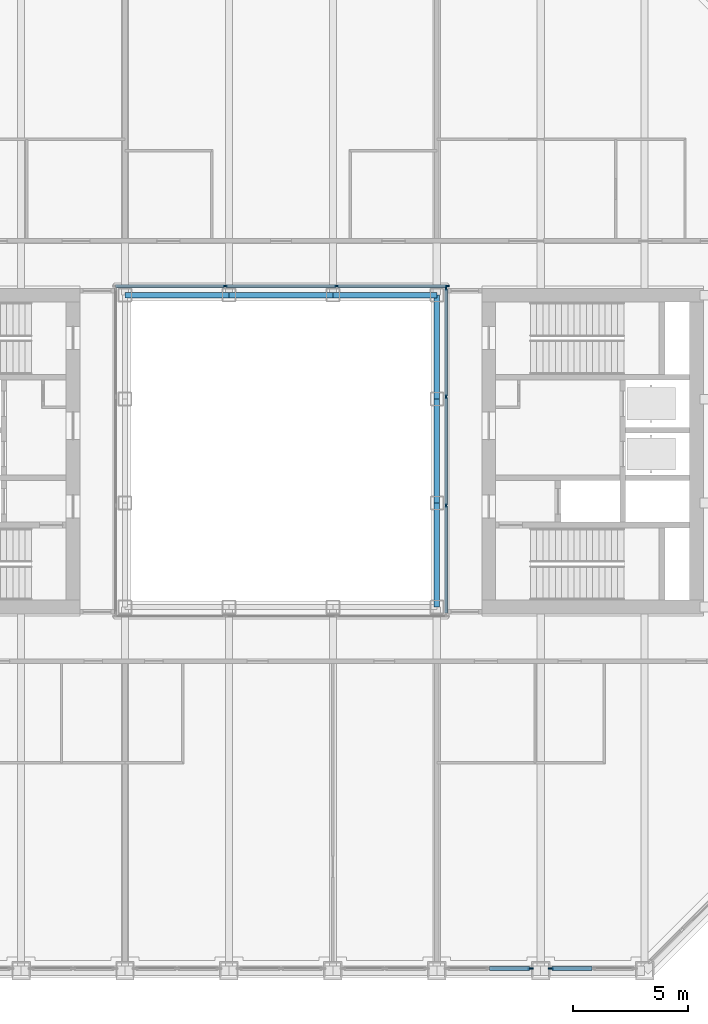
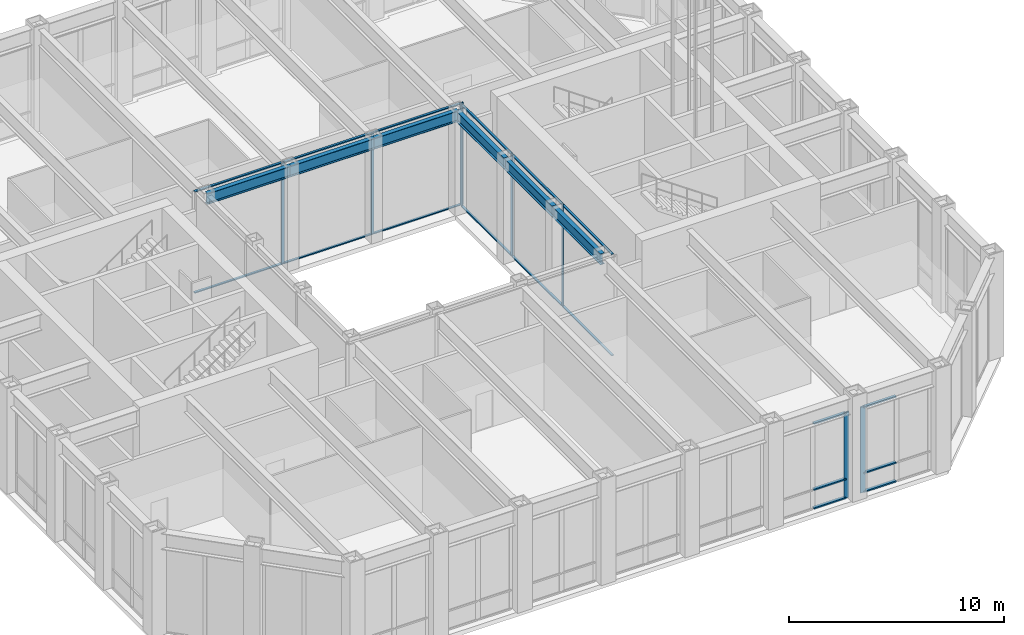
# One storey, part 5 of 22: 26 members, 6 beams, 4 elements without a shape of their own.
"""IFC4 building model written with IfcOpenShell, lengths in metres."""

from ifc_helpers import new_model, si_unit, direction, frame, origin, origin_2d, place, context, subcontext, project, spatial, rectangle, i_section, extrude, material, material_profile, profile_set, type_object, element, aggregate, save


model = new_model("IFC4")

# Units and contexts
model_context = context("Model", 3, precision=1e-05, world=origin(), true_north=direction((0.0, 1.0)))
body_context = subcontext(model_context, "Body", "Model", "MODEL_VIEW")
ifc_project = project(units=[si_unit("LENGTHUNIT", "METRE"), si_unit("AREAUNIT", "SQUARE_METRE"), si_unit("VOLUMEUNIT", "CUBIC_METRE"), si_unit("PLANEANGLEUNIT", "RADIAN"), si_unit("MASSUNIT", "GRAM", prefix="KILO")], contexts=[model_context])

# Site, building, storey
site_placement = place(None, origin())
site = spatial("IfcSite", under=ifc_project, at=site_placement, CompositionType="ELEMENT")
building_placement = place(site_placement, origin())
building = spatial("IfcBuilding", under=site, at=building_placement, Name="Msasa Ring Tower", CompositionType="ELEMENT")
storey_placement = place(building_placement, frame((0.0, 0.0, 112.39990234375)))
storey = spatial("IfcBuildingStorey", under=building, at=storey_placement, Name="L29", CompositionType="ELEMENT", Elevation=112.39990234375)

# Curtain wall, member
ifc_material_1 = material(Name="Aluminium curtain wall with clear glass", Category="aluminium")
curtain_wall_type_1 = type_object("IfcCurtainWallType", Name="CW-S SKY LOBBY CURTAIN WALL", PredefinedType="NOTDEFINED", material=ifc_material_1)
curtain_wall_1_placement = place(storey_placement, origin())
curtain_wall_1 = element("IfcCurtainWall", 1, at=curtain_wall_1_placement, inside=storey, type_object=curtain_wall_type_1, Name="Sky lobby curtain wall S L29", PredefinedType="NOTDEFINED")
ifc_material_2 = material(Name="Aluminium mullion", Category="aluminium")
ifc_material_profile_1 = material_profile(ifc_material_2, rectangle(XDim=0.074951171875, YDim=0.25, at=origin_2d()), Name="AL 75x250")
ifc_profile_set_1 = profile_set([ifc_material_profile_1], Name="Aluminium mullion")
member_type_1 = type_object("IfcMemberType", Name="CW-S MULLION 75x250", PredefinedType="MULLION", material=ifc_profile_set_1)
member_1_placement = place(storey_placement, frame((10.8076171875, -22.39990234375, 0.0), z_axis=(0.0, 0.0, 1.0), x_axis=(0.0, 1.0, 0.0)))
member_1 = element("IfcMember", 2, at=member_1_placement, type_object=member_type_1, Name="CW-S mullion 3", PredefinedType="MULLION", context=body_context, shape_type="SweptSolid", body=[
    extrude(rectangle(XDim=0.074951171875, YDim=0.25, at=origin_2d()), origin(), (0.0, 0.0, 1.0), 4.879150390625),
])

curtain_wall_2_placement = place(storey_placement, origin())
curtain_wall_2 = element("IfcCurtainWall", 3, at=curtain_wall_2_placement, inside=storey, type_object=curtain_wall_type_1, Name="Sky lobby curtain wall S L29", PredefinedType="NOTDEFINED")
member_2_placement = place(storey_placement, frame((11.6923828125, -22.39990234375, 0.0), z_axis=(0.0, 0.0, 1.0), x_axis=(0.0, 1.0, 0.0)))
member_2 = element("IfcMember", 4, at=member_2_placement, type_object=member_type_1, Name="CW-S mullion 1", PredefinedType="MULLION", context=body_context, shape_type="SweptSolid", body=[
    extrude(rectangle(XDim=0.074951171875, YDim=0.25, at=origin_2d()), origin(), (0.0, 0.0, 1.0), 4.879150390625),
])

# Member
ifc_material_3 = material(Name="Aluminium transom", Category="aluminium")
ifc_material_profile_2 = material_profile(ifc_material_3, rectangle(XDim=0.159912109375, YDim=0.074951171875, at=origin_2d()), Name="AL 75x160")
ifc_profile_set_2 = profile_set([ifc_material_profile_2], Name="Aluminium transom")
member_type_2 = type_object("IfcMemberType", Name="CW-S TRANSOM 75x160", PredefinedType="USERDEFINED", material=ifc_profile_set_2)
member_3_placement = place(storey_placement, frame((9.03759765625, -22.39990234375, 0.03759765625), z_axis=(1.0, 0.0, 0.0), x_axis=(0.0, 1.0, 0.0)))
member_3 = element("IfcMember", 5, at=member_3_placement, type_object=member_type_2, Name="CW-S transom 2.1", ObjectType="TRANSOM", PredefinedType="USERDEFINED", context=body_context, shape_type="SweptSolid", body=[
    extrude(rectangle(XDim=0.159912109375, YDim=0.074951171875, at=origin_2d()), origin(), (0.0, 0.0, 1.0), 1.732421875),
])

member_4_placement = place(storey_placement, frame((9.03759765625, -22.39990234375, 1.10009765625), z_axis=(1.0, 0.0, 0.0), x_axis=(0.0, 1.0, 0.0)))
member_4 = element("IfcMember", 6, at=member_4_placement, type_object=member_type_2, Name="CW-S transom 2.2", ObjectType="TRANSOM", PredefinedType="USERDEFINED", context=body_context, shape_type="SweptSolid", body=[
    extrude(rectangle(XDim=0.159912109375, YDim=0.074951171875, at=origin_2d()), origin(), (0.0, 0.0, 1.0), 1.732421875),
])

member_5_placement = place(storey_placement, frame((9.03759765625, -22.39990234375, 4.841552734375), z_axis=(1.0, 0.0, 0.0), x_axis=(0.0, 1.0, 0.0)))
member_5 = element("IfcMember", 7, at=member_5_placement, type_object=member_type_2, Name="CW-S transom 2.3", ObjectType="TRANSOM", PredefinedType="USERDEFINED", context=body_context, shape_type="SweptSolid", body=[
    extrude(rectangle(XDim=0.159912109375, YDim=0.074951171875, at=origin_2d()), origin(), (0.0, 0.0, 1.0), 1.732421875),
])

aggregate(curtain_wall_1, [member_1, member_3, member_4, member_5])

member_6_placement = place(storey_placement, frame((11.72998046875, -22.39990234375, 0.03759765625), z_axis=(1.0, 0.0, 0.0), x_axis=(0.0, 1.0, 0.0)))
member_6 = element("IfcMember", 8, at=member_6_placement, type_object=member_type_2, Name="CW-S transom 1.1", ObjectType="TRANSOM", PredefinedType="USERDEFINED", context=body_context, shape_type="SweptSolid", body=[
    extrude(rectangle(XDim=0.159912109375, YDim=0.074951171875, at=origin_2d()), origin(), (0.0, 0.0, 1.0), 1.732421875),
])

member_7_placement = place(storey_placement, frame((11.72998046875, -22.39990234375, 1.10009765625), z_axis=(1.0, 0.0, 0.0), x_axis=(0.0, 1.0, 0.0)))
member_7 = element("IfcMember", 9, at=member_7_placement, type_object=member_type_2, Name="CW-S transom 1.2", ObjectType="TRANSOM", PredefinedType="USERDEFINED", context=body_context, shape_type="SweptSolid", body=[
    extrude(rectangle(XDim=0.159912109375, YDim=0.074951171875, at=origin_2d()), origin(), (0.0, 0.0, 1.0), 1.732421875),
])

member_8_placement = place(storey_placement, frame((11.72998046875, -22.39990234375, 4.841552734375), z_axis=(1.0, 0.0, 0.0), x_axis=(0.0, 1.0, 0.0)))
member_8 = element("IfcMember", 10, at=member_8_placement, type_object=member_type_2, Name="CW-S transom 1.3", ObjectType="TRANSOM", PredefinedType="USERDEFINED", context=body_context, shape_type="SweptSolid", body=[
    extrude(rectangle(XDim=0.159912109375, YDim=0.074951171875, at=origin_2d()), origin(), (0.0, 0.0, 1.0), 1.732421875),
])

aggregate(curtain_wall_2, [member_2, member_6, member_7, member_8])

# Curtain wall, members
ifc_material_4 = material(Name="Aluminium curtain wall with clear glass", Category="aluminium")
curtain_wall_type_2 = type_object("IfcCurtainWallType", Name="CW-W LIGHT WELL CURTAIN WALL", PredefinedType="NOTDEFINED", material=ifc_material_4)
curtain_wall_3_placement = place(storey_placement, origin())
curtain_wall_3 = element("IfcCurtainWall", 11, at=curtain_wall_3_placement, inside=storey, type_object=curtain_wall_type_2, Name="Light well curtain wall N L29", PredefinedType="NOTDEFINED")
ifc_material_5 = material(Name="Aluminium mullion", Category="aluminium")
ifc_material_profile_3 = material_profile(ifc_material_5, rectangle(XDim=0.06005859375, YDim=0.159912109375, at=origin_2d()), Name="AL 60x160")
ifc_profile_set_3 = profile_set([ifc_material_profile_3], Name="Aluminium mullion")
member_type_3 = type_object("IfcMemberType", Name="CW-W MULLION 60x160", PredefinedType="MULLION", material=ifc_profile_set_3)
member_9_placement = place(storey_placement, frame((-2.409912109375, 7.14990234375, 0.0), z_axis=(0.0, 0.0, 1.0), x_axis=(0.0, 1.0, 0.0)))
member_9 = element("IfcMember", 12, at=member_9_placement, type_object=member_type_3, Name="CW-W mullion 2", PredefinedType="MULLION", context=body_context, shape_type="SweptSolid", body=[
    extrude(rectangle(XDim=0.06005859375, YDim=0.159912109375, at=origin_2d()), origin(), (0.0, 0.0, 1.0), 5.800048828125),
])
member_10_placement = place(storey_placement, frame((2.409912109375, 7.14990234375, 0.0), z_axis=(0.0, 0.0, 1.0), x_axis=(0.0, 1.0, 0.0)))
member_10 = element("IfcMember", 13, at=member_10_placement, type_object=member_type_3, Name="CW-W mullion 3", PredefinedType="MULLION", context=body_context, shape_type="SweptSolid", body=[
    extrude(rectangle(XDim=0.06005859375, YDim=0.159912109375, at=origin_2d()), origin(), (0.0, 0.0, 1.0), 5.800048828125),
])
member_11_placement = place(storey_placement, frame((7.199951171875, 7.14990234375, 0.0), z_axis=(0.0, 0.0, 1.0), x_axis=(0.0, 1.0, 0.0)))
member_11 = element("IfcMember", 14, at=member_11_placement, type_object=member_type_3, Name="CW-W mullion 4", PredefinedType="MULLION", context=body_context, shape_type="SweptSolid", body=[
    extrude(rectangle(XDim=0.06005859375, YDim=0.159912109375, at=origin_2d()), origin(), (0.0, 0.0, 1.0), 5.800048828125),
])

curtain_wall_4_placement = place(storey_placement, origin())
curtain_wall_4 = element("IfcCurtainWall", 15, at=curtain_wall_4_placement, inside=storey, type_object=curtain_wall_type_2, Name="Light well curtain wall E L29", PredefinedType="NOTDEFINED")
member_12_placement = place(storey_placement, frame((7.14990234375, -2.356689453125, 0.0), z_axis=(0.0, 0.0, 1.0), x_axis=(-1.0, 0.0, 0.0)))
member_12 = element("IfcMember", 16, at=member_12_placement, type_object=member_type_3, Name="CW-W mullion 2", PredefinedType="MULLION", context=body_context, shape_type="SweptSolid", body=[
    extrude(rectangle(XDim=0.06005859375, YDim=0.159912109375, at=origin_2d()), origin(), (0.0, 0.0, 1.0), 5.800048828125),
])
member_13_placement = place(storey_placement, frame((7.14990234375, 2.356689453125, 0.0), z_axis=(0.0, 0.0, 1.0), x_axis=(-1.0, 0.0, 0.0)))
member_13 = element("IfcMember", 17, at=member_13_placement, type_object=member_type_3, Name="CW-W mullion 3", PredefinedType="MULLION", context=body_context, shape_type="SweptSolid", body=[
    extrude(rectangle(XDim=0.06005859375, YDim=0.159912109375, at=origin_2d()), origin(), (0.0, 0.0, 1.0), 5.800048828125),
])
member_14_placement = place(storey_placement, frame((7.14990234375, 7.0400390625, 0.0), z_axis=(0.0, 0.0, 1.0), x_axis=(-1.0, 0.0, 0.0)))
member_14 = element("IfcMember", 18, at=member_14_placement, type_object=member_type_3, Name="CW-W mullion 4", PredefinedType="MULLION", context=body_context, shape_type="SweptSolid", body=[
    extrude(rectangle(XDim=0.06005859375, YDim=0.159912109375, at=origin_2d()), origin(), (0.0, 0.0, 1.0), 5.800048828125),
])

# Member
ifc_material_6 = material(Name="Aluminium transom", Category="aluminium")
ifc_material_profile_4 = material_profile(ifc_material_6, rectangle(XDim=0.1201171875, YDim=0.06005859375, at=origin_2d()), Name="AL 60x120")
ifc_profile_set_4 = profile_set([ifc_material_profile_4], Name="Aluminium transom")
member_type_4 = type_object("IfcMemberType", Name="CW-W TRANSOM 60x120", PredefinedType="USERDEFINED", material=ifc_profile_set_4)
member_15_placement = place(storey_placement, frame((-7.169921875, 7.14990234375, 0.030029296875), z_axis=(1.0, 0.0, 0.0), x_axis=(0.0, 1.0, 0.0)))
member_15 = element("IfcMember", 19, at=member_15_placement, type_object=member_type_4, Name="CW-W transom 1.1", ObjectType="TRANSOM", PredefinedType="USERDEFINED", context=body_context, shape_type="SweptSolid", body=[
    extrude(rectangle(XDim=0.1201171875, YDim=0.06005859375, at=origin_2d()), origin(), (0.0, 0.0, 1.0), 4.72998046875),
])

member_16_placement = place(storey_placement, frame((-7.169921875, 7.14990234375, 5.77001953125), z_axis=(1.0, 0.0, 0.0), x_axis=(0.0, 1.0, 0.0)))
member_16 = element("IfcMember", 20, at=member_16_placement, type_object=member_type_4, Name="CW-W transom 1.2", ObjectType="TRANSOM", PredefinedType="USERDEFINED", context=body_context, shape_type="SweptSolid", body=[
    extrude(rectangle(XDim=0.1201171875, YDim=0.06005859375, at=origin_2d()), origin(), (0.0, 0.0, 1.0), 4.72998046875),
])

member_17_placement = place(storey_placement, frame((-2.3798828125, 7.14990234375, 0.030029296875), z_axis=(1.0, 0.0, 0.0), x_axis=(0.0, 1.0, 0.0)))
member_17 = element("IfcMember", 21, at=member_17_placement, type_object=member_type_4, Name="CW-W transom 2.1", ObjectType="TRANSOM", PredefinedType="USERDEFINED", context=body_context, shape_type="SweptSolid", body=[
    extrude(rectangle(XDim=0.1201171875, YDim=0.06005859375, at=origin_2d()), origin(), (0.0, 0.0, 1.0), 4.759765625),
])

member_18_placement = place(storey_placement, frame((-2.3798828125, 7.14990234375, 5.77001953125), z_axis=(1.0, 0.0, 0.0), x_axis=(0.0, 1.0, 0.0)))
member_18 = element("IfcMember", 22, at=member_18_placement, type_object=member_type_4, Name="CW-W transom 2.2", ObjectType="TRANSOM", PredefinedType="USERDEFINED", context=body_context, shape_type="SweptSolid", body=[
    extrude(rectangle(XDim=0.1201171875, YDim=0.06005859375, at=origin_2d()), origin(), (0.0, 0.0, 1.0), 4.759765625),
])

member_19_placement = place(storey_placement, frame((2.43994140625, 7.14990234375, 0.030029296875), z_axis=(1.0, 0.0, 0.0), x_axis=(0.0, 1.0, 0.0)))
member_19 = element("IfcMember", 23, at=member_19_placement, type_object=member_type_4, Name="CW-W transom 3.1", ObjectType="TRANSOM", PredefinedType="USERDEFINED", context=body_context, shape_type="SweptSolid", body=[
    extrude(rectangle(XDim=0.1201171875, YDim=0.06005859375, at=origin_2d()), origin(), (0.0, 0.0, 1.0), 4.72998046875),
])

member_20_placement = place(storey_placement, frame((2.43994140625, 7.14990234375, 5.77001953125), z_axis=(1.0, 0.0, 0.0), x_axis=(0.0, 1.0, 0.0)))
member_20 = element("IfcMember", 24, at=member_20_placement, type_object=member_type_4, Name="CW-W transom 3.2", ObjectType="TRANSOM", PredefinedType="USERDEFINED", context=body_context, shape_type="SweptSolid", body=[
    extrude(rectangle(XDim=0.1201171875, YDim=0.06005859375, at=origin_2d()), origin(), (0.0, 0.0, 1.0), 4.72998046875),
])

aggregate(curtain_wall_3, [member_9, member_10, member_11, member_15, member_16, member_17, member_18, member_19, member_20])

member_21_placement = place(storey_placement, frame((7.14990234375, -7.010009765625, 0.030029296875), z_axis=(0.0, 1.0, 0.0), x_axis=(-1.0, 0.0, 0.0)))
member_21 = element("IfcMember", 25, at=member_21_placement, type_object=member_type_4, Name="CW-W transom 1.1", ObjectType="TRANSOM", PredefinedType="USERDEFINED", context=body_context, shape_type="SweptSolid", body=[
    extrude(rectangle(XDim=0.1201171875, YDim=0.06005859375, at=origin_2d()), origin(), (0.0, 0.0, 1.0), 4.623291015625),
])

member_22_placement = place(storey_placement, frame((7.14990234375, -7.010009765625, 5.77001953125), z_axis=(0.0, 1.0, 0.0), x_axis=(-1.0, 0.0, 0.0)))
member_22 = element("IfcMember", 26, at=member_22_placement, type_object=member_type_4, Name="CW-W transom 1.2", ObjectType="TRANSOM", PredefinedType="USERDEFINED", context=body_context, shape_type="SweptSolid", body=[
    extrude(rectangle(XDim=0.1201171875, YDim=0.06005859375, at=origin_2d()), origin(), (0.0, 0.0, 1.0), 4.623291015625),
])

member_23_placement = place(storey_placement, frame((7.14990234375, -2.32666015625, 0.030029296875), z_axis=(0.0, 1.0, 0.0), x_axis=(-1.0, 0.0, 0.0)))
member_23 = element("IfcMember", 27, at=member_23_placement, type_object=member_type_4, Name="CW-W transom 2.1", ObjectType="TRANSOM", PredefinedType="USERDEFINED", context=body_context, shape_type="SweptSolid", body=[
    extrude(rectangle(XDim=0.1201171875, YDim=0.06005859375, at=origin_2d()), origin(), (0.0, 0.0, 1.0), 4.6533203125),
])

member_24_placement = place(storey_placement, frame((7.14990234375, -2.32666015625, 5.77001953125), z_axis=(0.0, 1.0, 0.0), x_axis=(-1.0, 0.0, 0.0)))
member_24 = element("IfcMember", 28, at=member_24_placement, type_object=member_type_4, Name="CW-W transom 2.2", ObjectType="TRANSOM", PredefinedType="USERDEFINED", context=body_context, shape_type="SweptSolid", body=[
    extrude(rectangle(XDim=0.1201171875, YDim=0.06005859375, at=origin_2d()), origin(), (0.0, 0.0, 1.0), 4.6533203125),
])

member_25_placement = place(storey_placement, frame((7.14990234375, 2.38671875, 0.030029296875), z_axis=(0.0, 1.0, 0.0), x_axis=(-1.0, 0.0, 0.0)))
member_25 = element("IfcMember", 29, at=member_25_placement, type_object=member_type_4, Name="CW-W transom 3.1", ObjectType="TRANSOM", PredefinedType="USERDEFINED", context=body_context, shape_type="SweptSolid", body=[
    extrude(rectangle(XDim=0.1201171875, YDim=0.06005859375, at=origin_2d()), origin(), (0.0, 0.0, 1.0), 4.623291015625),
])

member_26_placement = place(storey_placement, frame((7.14990234375, 2.38671875, 5.77001953125), z_axis=(0.0, 1.0, 0.0), x_axis=(-1.0, 0.0, 0.0)))
member_26 = element("IfcMember", 30, at=member_26_placement, type_object=member_type_4, Name="CW-W transom 3.2", ObjectType="TRANSOM", PredefinedType="USERDEFINED", context=body_context, shape_type="SweptSolid", body=[
    extrude(rectangle(XDim=0.1201171875, YDim=0.06005859375, at=origin_2d()), origin(), (0.0, 0.0, 1.0), 4.623291015625),
])

aggregate(curtain_wall_4, [member_12, member_13, member_14, member_21, member_22, member_23, member_24, member_25, member_26])

# Beams
ifc_material_7 = material(Name="Steel S355", Category="steel")
ifc_material_profile_5 = material_profile(ifc_material_7, i_section(OverallWidth=0.230224609375, OverallDepth=0.6171875, WebThickness=0.01318359375, FlangeThickness=0.022216796875, FilletRadius=0.0126953125, at=origin_2d()), Name="UB 610x229x140")
ifc_profile_set_5 = profile_set([ifc_material_profile_5], Name="Steel S355")
beam_type = type_object("IfcBeamType", Name="RB1 UB 610x229x140", PredefinedType="BEAM", material=ifc_profile_set_5)
for number, where, z_axis, x_axis, name in (
    (31, (6.75, -6.75, 5.491455078125), (0.0, 1.0, 0.0), (-1.0, 0.0, 0.0), "Inner ring beam IR+6.75-6.75 under L30"),
    (32, (6.75, -2.25, 5.491455078125), (0.0, 1.0, 0.0), (-1.0, 0.0, 0.0), "Inner ring beam IR+6.75-2.25 under L30"),
    (33, (6.75, 2.25, 5.491455078125), (0.0, 1.0, 0.0), (-1.0, 0.0, 0.0), "Inner ring beam IR+6.75+2.25 under L30"),
    (34, (6.75, 6.75, 5.491455078125), (-1.0, 0.0, 0.0), (0.0, -1.0, 0.0), "Inner ring beam IR+6.75+6.75 under L30"),
    (35, (2.25, 6.75, 5.491455078125), (-1.0, 0.0, 0.0), (0.0, -1.0, 0.0), "Inner ring beam IR+2.25+6.75 under L30"),
    (36, (-2.25, 6.75, 5.491455078125), (-1.0, 0.0, 0.0), (0.0, -1.0, 0.0), "Inner ring beam IR-2.25+6.75 under L30"),
):
    element("IfcBeam", number, at=place(storey_placement, frame(where, z_axis=z_axis, x_axis=x_axis)), inside=storey, type_object=beam_type, Name=name, PredefinedType="BEAM", context=body_context, shape_type="SweptSolid", body=[
        extrude(i_section(OverallWidth=0.230224609375, OverallDepth=0.6171875, WebThickness=0.01318359375, FlangeThickness=0.022216796875, FilletRadius=0.0126953125, at=origin_2d()), origin(), (0.0, 0.0, 1.0), 4.5),
    ])

save(model, "model.ifc")
